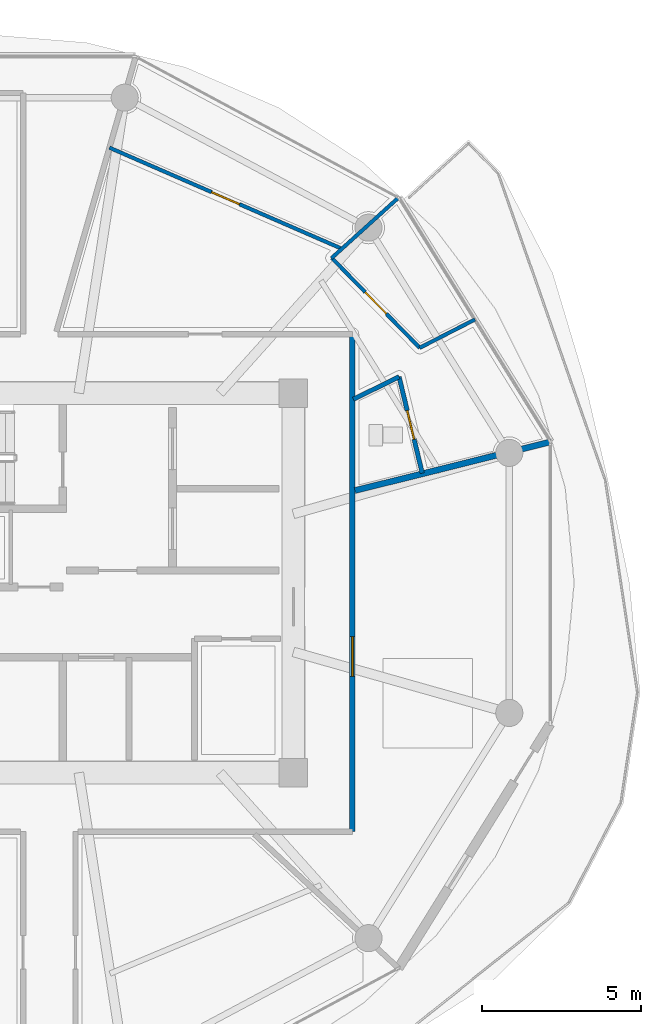
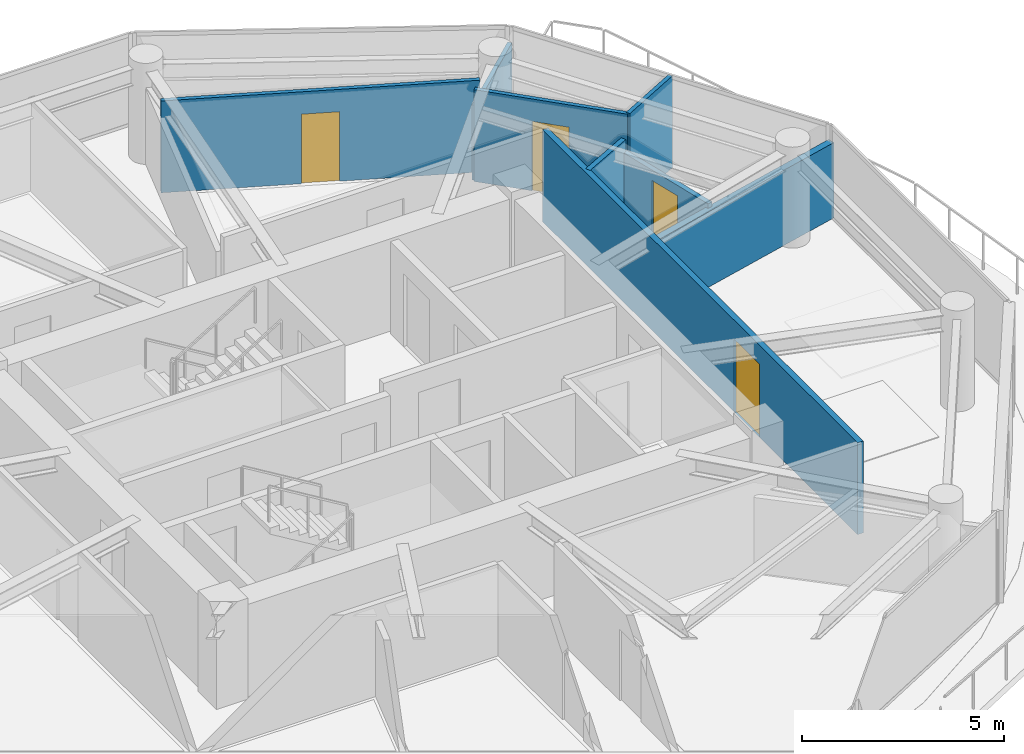
# One storey, part 17 of 25: 8 walls, 4 doors, 4 openings.
"""IFC4 building model written with IfcOpenShell, lengths in metres."""

from ifc_helpers import new_model, si_unit, direction, frame, frame_2d, origin, place, context, subcontext, project, spatial, rectangle, extrude, source, transform, mapped, material, layer, layer_set, type_object, type_shapes, element, fill, save


model = new_model("IFC4")

# Units and contexts
model_context = context("Model", 3, precision=1e-05, world=origin(), true_north=direction((0.0, 1.0)))
body_context = subcontext(model_context, "Body", "Model", "MODEL_VIEW")
ifc_project = project(units=[si_unit("LENGTHUNIT", "METRE"), si_unit("AREAUNIT", "SQUARE_METRE"), si_unit("VOLUMEUNIT", "CUBIC_METRE"), si_unit("PLANEANGLEUNIT", "RADIAN"), si_unit("MASSUNIT", "GRAM", prefix="KILO")], contexts=[model_context])

# Site, building, storey
site_placement = place(None, origin())
site = spatial("IfcSite", under=ifc_project, at=site_placement, CompositionType="ELEMENT")
building_placement = place(site_placement, origin())
building = spatial("IfcBuilding", under=site, at=building_placement, Name="Norrkilde Senior Care Towers", CompositionType="ELEMENT")
storey_placement = place(building_placement, frame((0.0, 0.0, 99.300048828125)))
storey = spatial("IfcBuildingStorey", under=building, at=storey_placement, Name="L30", CompositionType="ELEMENT", Elevation=99.300048828125)

# Wall, opening, door
ifc_material_1 = material(Name="Gypsum Acoustic Board")
ifc_layer_1 = layer(ifc_material_1, 0.1650390625)
ifc_layer_set_1 = layer_set([ifc_layer_1], Name="Gypsum Acoustic Board")
wall_type_1 = type_object("IfcWallType", Name="Corridor Rated Partition 165", PredefinedType="PARTITIONING", material=ifc_layer_set_1)
shared_shape_1 = source(origin(), body_context, "Body", "SweptSolid", [
    extrude(rectangle(XDim=15.60009765625, YDim=0.1650390625, at=frame_2d((7.800048828125, 0.0))), origin(), (0.0, 0.0, 1.0), 2.77490234375),
])
type_shapes(wall_type_1, [shared_shape_1])
wall_1_placement = place(storey_placement, frame((37.5, 7.800048828125, 0.0), z_axis=(0.0, 0.0, 1.0), x_axis=(0.0, -1.0, 0.0)))
wall_1 = element("IfcWall", 1, at=wall_1_placement, inside=storey, type_object=wall_type_1, Name="WL-INT-L30-E-CRW-E-0", PredefinedType="PARTITIONING", context=body_context, shape_type="MappedRepresentation", body=[
    mapped(shared_shape_1, transform((0.0, 0.0, 0.0), x_axis=(1.0, 0.0, 0.0), y_axis=(0.0, 1.0, 0.0), z_axis=(0.0, 0.0, 1.0), scale=1.0)),
])
opening_1_placement = place(wall_1_placement, frame((9.482421875, 0.0, 0.0)))
opening_1 = element("IfcOpeningElement", 2, at=opening_1_placement, cuts=wall_1, Name="Opening D-05", PredefinedType="OPENING", context=body_context, shape_type="SweptSolid", body=[
    extrude(rectangle(XDim=1.25, YDim=2.199951171875, at=frame_2d((0.625, 1.10009765625))), frame((0.0, 0.092529296875, 0.0), z_axis=(0.0, -1.0, 0.0), x_axis=(1.0, 0.0, 0.0)), (0.0, 0.0, 1.0), 0.18505859375),
])
ifc_material_2 = material(Name="Nordic Ash Timber", Category="wood")
door_type_1 = type_object("IfcDoorType", Name="Care Bedroom Bariatric Door 1250x2200", OperationType="NOTDEFINED", PredefinedType="DOOR", material=ifc_material_2)
shared_shape_2 = source(origin(), body_context, "Body", "SweptSolid", [
    extrude(rectangle(XDim=1.25, YDim=2.199951171875, at=frame_2d((0.625, 1.10009765625))), frame((0.0, 0.02490234375, 0.0), z_axis=(0.0, -1.0, 0.0), x_axis=(1.0, 0.0, 0.0)), (0.0, 0.0, 1.0), 0.050048828125),
])
type_shapes(door_type_1, [shared_shape_2])
door_1_placement = place(opening_1_placement, frame((1.25, 0.0, 0.0), z_axis=(0.0, 0.0, 1.0), x_axis=(-1.0, 0.0, 0.0)))
door_1 = element("IfcDoor", 3, at=door_1_placement, inside=storey, type_object=door_type_1, Name="L30 Senior Wellness Library Lounge Door", OperationType="SINGLE_SWING_LEFT", OverallHeight=2.199951171875, OverallWidth=1.25, PredefinedType="DOOR", context=body_context, shape_type="MappedRepresentation", body=[
    mapped(shared_shape_2, transform((0.0, 0.0, 0.0), x_axis=(1.0, 0.0, 0.0), y_axis=(0.0, 1.0, 0.0), z_axis=(0.0, 0.0, 1.0), scale=1.0)),
])
fill(opening_1, door_1)

# Wall
ifc_layer_2 = layer(ifc_material_1, 0.18994140625)
ifc_layer_set_2 = layer_set([ifc_layer_2], Name="Gypsum Acoustic Board")
wall_type_2 = type_object("IfcWallType", Name="Unit Demising Acoustic Wall 190", PredefinedType="PARTITIONING", material=ifc_layer_set_2)
shared_shape_3 = source(origin(), body_context, "Body", "SweptSolid", [
    extrude(rectangle(XDim=6.33056640625, YDim=0.18994140625, at=frame_2d((3.165283203125, 0.0))), origin(), (0.0, 0.0, 1.0), 2.27490234375),
])
type_shapes(wall_type_2, [shared_shape_3])
wall_2_placement = place(storey_placement, frame((37.580078125, 2.89599609375, 0.0), z_axis=(0.0, 0.0, 1.0), x_axis=(0.97036440661, 0.241646267062, 0.0)))
element("IfcWall", 4, at=wall_2_placement, inside=storey, type_object=wall_type_2, Name="WL-INT-L30-E-DEM-00-0", PredefinedType="PARTITIONING", context=body_context, shape_type="MappedRepresentation", body=[
    mapped(shared_shape_3, transform((0.0, 0.0, 0.0), x_axis=(1.0, 0.0, 0.0), y_axis=(0.0, 1.0, 0.0), z_axis=(0.0, 0.0, 1.0), scale=1.0)),
])

# Wall, opening, door
ifc_layer_3 = layer(ifc_material_1, 0.114990234375)
ifc_layer_set_3 = layer_set([ifc_layer_3], Name="Gypsum Acoustic Board")
wall_type_3 = type_object("IfcWallType", Name="Internal Room Partition 115", PredefinedType="PARTITIONING", material=ifc_layer_set_3)
shared_shape_4 = source(origin(), body_context, "Body", "SweptSolid", [
    extrude(rectangle(XDim=7.937744140625, YDim=0.114990234375, at=frame_2d((3.96875, 0.0))), origin(), (0.0, 0.0, 1.0), 2.77490234375),
])
wall_3_placement = place(storey_placement, frame((37.164306640625, 10.4794921875, 0.0), z_axis=(0.0, 0.0, 1.0), x_axis=(-0.917052940979, 0.398765474235, 0.0)))
wall_3 = element("IfcWall", 5, at=wall_3_placement, inside=storey, type_object=wall_type_3, Name="WL-INT-L30-E-UBC-00-1", PredefinedType="PARTITIONING", context=body_context, shape_type="MappedRepresentation", body=[
    mapped(shared_shape_4, transform((0.0, 0.0, 0.0), x_axis=(1.0, 0.0, 0.0), y_axis=(0.0, 1.0, 0.0), z_axis=(0.0, 0.0, 1.0), scale=1.0)),
])
opening_2_placement = place(wall_3_placement, frame((3.493896484375, 0.0, 0.0)))
opening_2 = element("IfcOpeningElement", 6, at=opening_2_placement, cuts=wall_3, Name="Opening D-07", PredefinedType="OPENING", context=body_context, shape_type="SweptSolid", body=[
    extrude(rectangle(XDim=0.949951171875, YDim=2.10009765625, at=frame_2d((0.47509765625, 1.050048828125))), frame((0.0, 0.0673828125, 0.0), z_axis=(0.0, -1.0, 0.0), x_axis=(1.0, 0.0, 0.0)), (0.0, 0.0, 1.0), 0.135009765625),
])
door_type_2 = type_object("IfcDoorType", Name="Internal Suite Bedroom Door 950x2100", OperationType="NOTDEFINED", PredefinedType="DOOR", material=ifc_material_2)
shared_shape_5 = source(origin(), body_context, "Body", "SweptSolid", [
    extrude(rectangle(XDim=0.949951171875, YDim=2.10009765625, at=frame_2d((0.47509765625, 1.050048828125))), frame((0.0, 0.02490234375, 0.0), z_axis=(0.0, -1.0, 0.0), x_axis=(1.0, 0.0, 0.0)), (0.0, 0.0, 1.0), 0.050048828125),
])
type_shapes(door_type_2, [shared_shape_5])
door_2_placement = place(opening_2_placement, origin())
door_2 = element("IfcDoor", 7, at=door_2_placement, inside=storey, type_object=door_type_2, Name="Apartment 30C Bedroom 1 Door", OperationType="SINGLE_SWING_RIGHT", OverallHeight=2.10009765625, OverallWidth=0.949951171875, PredefinedType="DOOR", context=body_context, shape_type="MappedRepresentation", body=[
    mapped(shared_shape_5, transform((0.0, 0.0, 0.0), x_axis=(1.0, 0.0, 0.0), y_axis=(0.0, 1.0, 0.0), z_axis=(0.0, 0.0, 1.0), scale=1.0)),
])
fill(opening_2, door_2)

# Wall
ifc_layer_4 = layer(ifc_material_1, 0.139892578125)
ifc_layer_set_4 = layer_set([ifc_layer_4], Name="Gypsum Acoustic Board")
wall_type_4 = type_object("IfcWallType", Name="En-suite Wet Room Wall 140", PredefinedType="PARTITIONING", material=ifc_layer_set_4)
shared_shape_6 = source(origin(), body_context, "Body", "SweptSolid", [
    extrude(rectangle(XDim=1.600341796875, YDim=0.139892578125, at=frame_2d((0.80029296875, 0.0))), origin(), (0.0, 0.0, 1.0), 2.77490234375),
])
wall_4_placement = place(storey_placement, frame((37.530029296875, 5.753662109375, 0.0), z_axis=(0.0, 0.0, 1.0), x_axis=(0.895522919837, 0.445015393044, 0.0)))
element("IfcWall", 8, at=wall_4_placement, inside=storey, type_object=wall_type_4, Name="WL-INT-L30-E-UBTS-00", PredefinedType="PARTITIONING", context=body_context, shape_type="MappedRepresentation", body=[
    mapped(shared_shape_6, transform((0.0, 0.0, 0.0), x_axis=(1.0, 0.0, 0.0), y_axis=(0.0, 1.0, 0.0), z_axis=(0.0, 0.0, 1.0), scale=1.0)),
])

# Wall, opening, door
shared_shape_7 = source(origin(), body_context, "Body", "SweptSolid", [
    extrude(rectangle(XDim=3.111572265625, YDim=0.139892578125, at=frame_2d((1.5556640625, 0.0))), origin(), (0.0, 0.0, 1.0), 2.4150390625),
])
type_shapes(wall_type_4, [shared_shape_6, shared_shape_7])
wall_5_placement = place(storey_placement, frame((38.963134765625, 6.4658203125, 0.0), z_axis=(0.0, 0.0, 1.0), x_axis=(0.233737944029, -0.972299631555, 0.0)))
wall_5 = element("IfcWall", 9, at=wall_5_placement, inside=storey, type_object=wall_type_4, Name="WL-INT-L30-E-UBTF-00", PredefinedType="PARTITIONING", context=body_context, shape_type="MappedRepresentation", body=[
    mapped(shared_shape_7, transform((0.0, 0.0, 0.0), x_axis=(1.0, 0.0, 0.0), y_axis=(0.0, 1.0, 0.0), z_axis=(0.0, 0.0, 1.0), scale=1.0)),
])
opening_3_placement = place(wall_5_placement, frame((1.095703125, 0.0, 0.0)))
opening_3 = element("IfcOpeningElement", 10, at=opening_3_placement, cuts=wall_5, Name="Opening D-08", PredefinedType="OPENING", context=body_context, shape_type="SweptSolid", body=[
    extrude(rectangle(XDim=0.919921875, YDim=2.10009765625, at=frame_2d((0.4599609375, 1.050048828125))), frame((0.0, 0.079833984375, 0.0), z_axis=(0.0, -1.0, 0.0), x_axis=(1.0, 0.0, 0.0)), (0.0, 0.0, 1.0), 0.159912109375),
])
door_type_3 = type_object("IfcDoorType", Name="Accessible Wet Room Door 920x2100", OperationType="NOTDEFINED", PredefinedType="DOOR", material=ifc_material_2)
shared_shape_8 = source(origin(), body_context, "Body", "SweptSolid", [
    extrude(rectangle(XDim=0.919921875, YDim=2.10009765625, at=frame_2d((0.4599609375, 1.050048828125))), frame((0.0, 0.02490234375, 0.0), z_axis=(0.0, -1.0, 0.0), x_axis=(1.0, 0.0, 0.0)), (0.0, 0.0, 1.0), 0.050048828125),
])
type_shapes(door_type_3, [shared_shape_8])
door_3_placement = place(opening_3_placement, origin())
door_3 = element("IfcDoor", 11, at=door_3_placement, inside=storey, type_object=door_type_3, Name="Apartment 30C Bathroom Door", OperationType="SINGLE_SWING_RIGHT", OverallHeight=2.10009765625, OverallWidth=0.919921875, PredefinedType="DOOR", context=body_context, shape_type="MappedRepresentation", body=[
    mapped(shared_shape_8, transform((0.0, 0.0, 0.0), x_axis=(1.0, 0.0, 0.0), y_axis=(0.0, 1.0, 0.0), z_axis=(0.0, 0.0, 1.0), scale=1.0)),
])
fill(opening_3, door_3)

# Walls
shared_shape_9 = source(origin(), body_context, "Body", "SweptSolid", [
    extrude(rectangle(XDim=2.8515625, YDim=0.114990234375, at=frame_2d((1.42578125, 0.0))), origin(), (0.0, 0.0, 1.0), 2.27490234375),
])
wall_6_placement = place(storey_placement, frame((36.84423828125, 10.180419921875, 0.0), z_axis=(0.0, 0.0, 1.0), x_axis=(0.742190556634, 0.670188911908, 0.0)))
element("IfcWall", 12, at=wall_6_placement, inside=storey, type_object=wall_type_3, Name="WL-INT-L30-E-UBR-00-1", PredefinedType="PARTITIONING", context=body_context, shape_type="MappedRepresentation", body=[
    mapped(shared_shape_9, transform((0.0, 0.0, 0.0), x_axis=(1.0, 0.0, 0.0), y_axis=(0.0, 1.0, 0.0), z_axis=(0.0, 0.0, 1.0), scale=1.0)),
])
shared_shape_10 = source(origin(), body_context, "Body", "SweptSolid", [
    extrude(rectangle(XDim=1.9453125, YDim=0.114990234375, at=frame_2d((0.97265625, 0.0))), origin(), (0.0, 0.0, 1.0), 2.77490234375),
])
wall_7_placement = place(storey_placement, frame((39.611083984375, 7.370361328125, 0.0), z_axis=(0.0, 0.0, 1.0), x_axis=(0.889684148329, 0.456576517368, 0.0)))
element("IfcWall", 13, at=wall_7_placement, inside=storey, type_object=wall_type_3, Name="WL-INT-L30-E-UKTS-00", PredefinedType="PARTITIONING", context=body_context, shape_type="MappedRepresentation", body=[
    mapped(shared_shape_10, transform((0.0, 0.0, 0.0), x_axis=(1.0, 0.0, 0.0), y_axis=(0.0, 1.0, 0.0), z_axis=(0.0, 0.0, 1.0), scale=1.0)),
])

# Wall, opening, door
shared_shape_11 = source(origin(), body_context, "Body", "SweptSolid", [
    extrude(rectangle(XDim=3.943359375, YDim=0.114990234375, at=frame_2d((1.9716796875, 0.0))), origin(), (0.0, 0.0, 1.0), 2.77490234375),
])
type_shapes(wall_type_3, [shared_shape_4, shared_shape_9, shared_shape_10, shared_shape_11])
wall_8_placement = place(storey_placement, frame((39.611083984375, 7.370361328125, 0.0), z_axis=(0.0, 0.0, 1.0), x_axis=(-0.699481885754, 0.714650328134, 0.0)))
wall_8 = element("IfcWall", 14, at=wall_8_placement, inside=storey, type_object=wall_type_3, Name="WL-INT-L30-E-UKTF-00", PredefinedType="PARTITIONING", context=body_context, shape_type="MappedRepresentation", body=[
    mapped(shared_shape_11, transform((0.0, 0.0, 0.0), x_axis=(1.0, 0.0, 0.0), y_axis=(0.0, 1.0, 0.0), z_axis=(0.0, 0.0, 1.0), scale=1.0)),
])
opening_4_placement = place(wall_8_placement, frame((1.49658203125, 0.0, 0.0)))
opening_4 = element("IfcOpeningElement", 15, at=opening_4_placement, cuts=wall_8, Name="Opening D-07", PredefinedType="OPENING", context=body_context, shape_type="SweptSolid", body=[
    extrude(rectangle(XDim=0.949951171875, YDim=2.10009765625, at=frame_2d((0.47509765625, 1.050048828125))), frame((0.0, 0.0673828125, 0.0), z_axis=(0.0, -1.0, 0.0), x_axis=(1.0, 0.0, 0.0)), (0.0, 0.0, 1.0), 0.135009765625),
])
door_4_placement = place(opening_4_placement, frame((0.949951171875, 0.0, 0.0), z_axis=(0.0, 0.0, 1.0), x_axis=(-1.0, 0.0, 0.0)))
door_4 = element("IfcDoor", 16, at=door_4_placement, inside=storey, type_object=door_type_2, Name="Apartment 30C Kitchen Door", OperationType="SINGLE_SWING_LEFT", OverallHeight=2.10009765625, OverallWidth=0.949951171875, PredefinedType="DOOR", context=body_context, shape_type="MappedRepresentation", body=[
    mapped(shared_shape_5, transform((0.0, 0.0, 0.0), x_axis=(1.0, 0.0, 0.0), y_axis=(0.0, 1.0, 0.0), z_axis=(0.0, 0.0, 1.0), scale=1.0)),
])
fill(opening_4, door_4)

save(model, "model.ifc")
